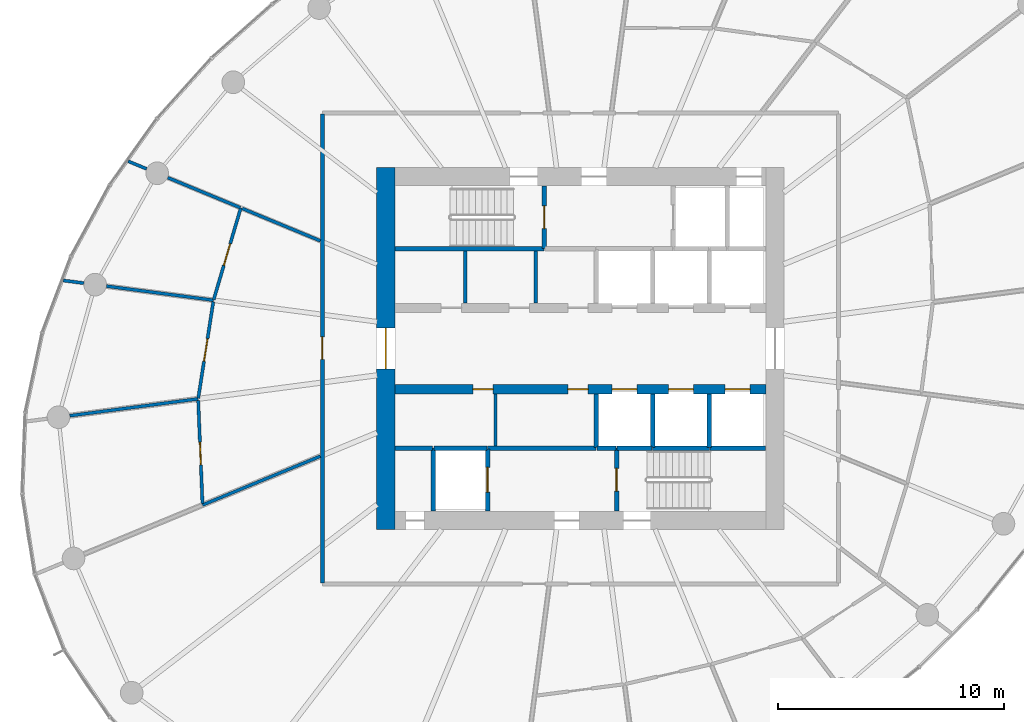
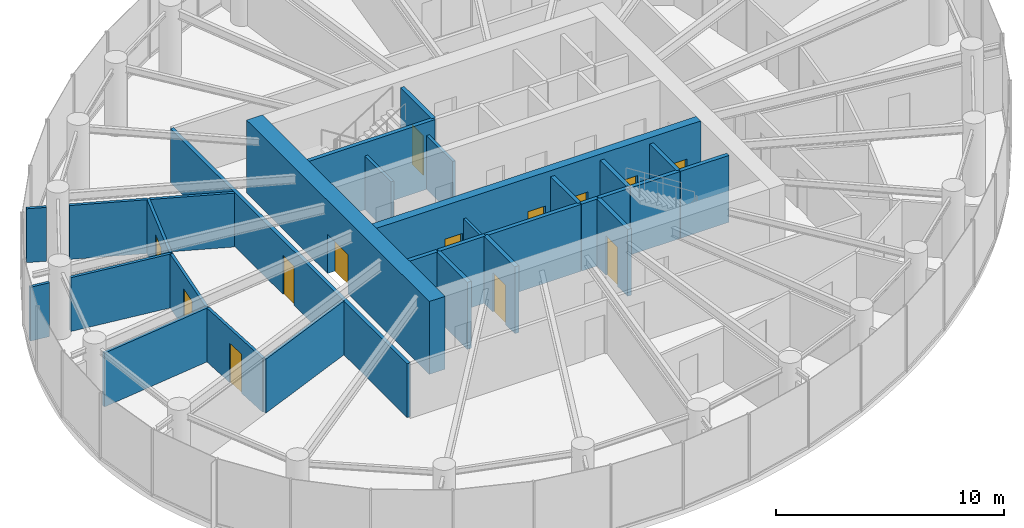
# One storey, part 9 of 14: 31 walls, 13 doors, 13 openings.
"""IFC4 building model written with IfcOpenShell, lengths in metres."""

from ifc_helpers import new_model, si_unit, direction, frame, frame_2d, origin, place, context, subcontext, project, spatial, rectangle, extrude, source, transform, mapped, material, layer, layer_set, type_object, element, fill, save


model = new_model("IFC4")

# Units and contexts
model_context = context("Model", 3, precision=1e-05, world=origin(), true_north=direction((0.0, 1.0)))
body_context = subcontext(model_context, "Body", "Model", "MODEL_VIEW")
ifc_project = project(units=[si_unit("LENGTHUNIT", "METRE"), si_unit("AREAUNIT", "SQUARE_METRE"), si_unit("VOLUMEUNIT", "CUBIC_METRE"), si_unit("PLANEANGLEUNIT", "RADIAN"), si_unit("MASSUNIT", "GRAM", prefix="KILO")], contexts=[model_context])

# Site, building, storey
site_placement = place(None, origin())
site = spatial("IfcSite", under=ifc_project, at=site_placement, CompositionType="ELEMENT")
building_placement = place(site_placement, origin())
building = spatial("IfcBuilding", under=site, at=building_placement, Name="Spindrift Exchange Tower", CompositionType="ELEMENT")
storey_placement = place(building_placement, frame((0.0, 0.0, 144.800048828125)))
storey = spatial("IfcBuildingStorey", under=building, at=storey_placement, Name="L34", CompositionType="ELEMENT", Elevation=144.800048828125)

# Wall, opening, door
ifc_material_1 = material(Name="Concrete 65 MPa", Category="concrete")
ifc_layer_1 = layer(ifc_material_1, 0.800048828125)
ifc_layer_set_1 = layer_set([ifc_layer_1], Name="RC Core Wall 800 Concrete 65 MPa")
wall_type_1 = type_object("IfcWallType", Name="RC Core Wall 800 Concrete 65 MPa", PredefinedType="SHEAR", material=ifc_layer_set_1)
wall_1_placement = place(storey_placement, frame((43.39990234375, 56.0, 0.0), z_axis=(0.0, 0.0, 1.0), x_axis=(0.0, -1.0, 0.0)))
wall_1 = element("IfcWall", 1, at=wall_1_placement, inside=storey, type_object=wall_type_1, Name="Core wall W L34", PredefinedType="SHEAR", context=body_context, shape_type="SweptSolid", body=[
    extrude(rectangle(XDim=16.0, YDim=0.800048828125, at=frame_2d((8.0, 0.0))), origin(), (0.0, 0.0, 1.0), 3.89990234375),
])
opening_1_placement = place(wall_1_placement, frame((7.10009765625, 0.0, 0.0)))
opening_1 = element("IfcOpeningElement", 2, at=opening_1_placement, cuts=wall_1, Name="Opening L34-D1", PredefinedType="OPENING", context=body_context, shape_type="SweptSolid", body=[
    extrude(rectangle(XDim=1.800048828125, YDim=2.10009765625, at=frame_2d((0.89990234375, 1.050048828125))), frame((0.0, 0.409912109375, 0.0), z_axis=(0.0, -1.0, 0.0), x_axis=(1.0, 0.0, 0.0)), (0.0, 0.0, 1.0), 0.820068359375),
])
ifc_material_2 = material(Name="Timber-core fire door", Category="wood")
door_type_1 = type_object("IfcDoorType", Name="DR-LOBBY-1800", OperationType="NOTDEFINED", PredefinedType="DOOR", material=ifc_material_2)
shared_shape_1 = source(origin(), body_context, "Body", "SweptSolid", [
    extrude(rectangle(XDim=1.800048828125, YDim=2.10009765625, at=frame_2d((0.89990234375, 1.050048828125))), frame((0.0, 0.02490234375, 0.0), z_axis=(0.0, -1.0, 0.0), x_axis=(1.0, 0.0, 0.0)), (0.0, 0.0, 1.0), 0.050048828125),
])
door_1_placement = place(opening_1_placement, origin())
door_1 = element("IfcDoor", 3, at=door_1_placement, inside=storey, type_object=door_type_1, Name="L34 Lobby door 1", OperationType="SINGLE_SWING_LEFT", OverallHeight=2.10009765625, OverallWidth=1.800048828125, PredefinedType="DOOR", context=body_context, shape_type="MappedRepresentation", body=[
    mapped(shared_shape_1, transform((0.0, 0.0, 0.0), scale=1.0)),
])
fill(opening_1, door_1)

# Wall, openings, doors
ifc_layer_2 = layer(ifc_material_1, 0.39990234375)
ifc_layer_set_2 = layer_set([ifc_layer_2], Name="RC Spine Wall 400 Concrete 65 MPa")
wall_type_2 = type_object("IfcWallType", Name="RC Spine Wall 400 Concrete 65 MPa", PredefinedType="SHEAR", material=ifc_layer_set_2)
wall_2_placement = place(storey_placement, frame((43.800048828125, 46.199951171875, 0.0), z_axis=(0.0, 0.0, 1.0), x_axis=(1.0, 0.0, 0.0)))
wall_2 = element("IfcWall", 4, at=wall_2_placement, inside=storey, type_object=wall_type_2, Name="Core spine wall S L34", PredefinedType="SHEAR", context=body_context, shape_type="SweptSolid", body=[
    extrude(rectangle(XDim=16.39990234375, YDim=0.39990234375, at=frame_2d((8.199951171875, 0.0))), origin(), (0.0, 0.0, 1.0), 3.89990234375),
])
opening_2_placement = place(wall_2_placement, frame((9.60009765625, 0.0, 0.0)))
opening_2 = element("IfcOpeningElement", 5, at=opening_2_placement, cuts=wall_2, Name="Opening L34-D6", PredefinedType="OPENING", context=body_context, shape_type="SweptSolid", body=[
    extrude(rectangle(XDim=1.10009765625, YDim=2.10009765625, at=frame_2d((0.550048828125, 1.050048828125))), frame((0.0, 0.2099609375, 0.0), z_axis=(0.0, -1.0, 0.0), x_axis=(1.0, 0.0, 0.0)), (0.0, 0.0, 1.0), 0.419921875),
])
opening_3_placement = place(wall_2_placement, frame((12.10009765625, 0.0, 0.0)))
opening_3 = element("IfcOpeningElement", 6, at=opening_3_placement, cuts=wall_2, Name="Opening L34-D7", PredefinedType="OPENING", context=body_context, shape_type="SweptSolid", body=[
    extrude(rectangle(XDim=1.10009765625, YDim=2.10009765625, at=frame_2d((0.550048828125, 1.050048828125))), frame((0.0, 0.2099609375, 0.0), z_axis=(0.0, -1.0, 0.0), x_axis=(1.0, 0.0, 0.0)), (0.0, 0.0, 1.0), 0.419921875),
])
opening_4_placement = place(wall_2_placement, frame((14.60009765625, 0.0, 0.0)))
opening_4 = element("IfcOpeningElement", 7, at=opening_4_placement, cuts=wall_2, Name="Opening L34-D8", PredefinedType="OPENING", context=body_context, shape_type="SweptSolid", body=[
    extrude(rectangle(XDim=1.10009765625, YDim=2.10009765625, at=frame_2d((0.550048828125, 1.050048828125))), frame((0.0, 0.2099609375, 0.0), z_axis=(0.0, -1.0, 0.0), x_axis=(1.0, 0.0, 0.0)), (0.0, 0.0, 1.0), 0.419921875),
])
opening_5_placement = place(wall_2_placement, frame((3.449951171875, 0.0, 0.0)))
opening_5 = element("IfcOpeningElement", 8, at=opening_5_placement, cuts=wall_2, Name="Opening L34-D45", PredefinedType="OPENING", context=body_context, shape_type="SweptSolid", body=[
    extrude(rectangle(XDim=0.89990234375, YDim=2.10009765625, at=frame_2d((0.449951171875, 1.050048828125))), frame((0.0, 0.2099609375, 0.0), z_axis=(0.0, -1.0, 0.0), x_axis=(1.0, 0.0, 0.0)), (0.0, 0.0, 1.0), 0.419921875),
])
opening_6_placement = place(wall_2_placement, frame((7.64990234375, 0.0, 0.0)))
opening_6 = element("IfcOpeningElement", 9, at=opening_6_placement, cuts=wall_2, Name="Opening L34-D46", PredefinedType="OPENING", context=body_context, shape_type="SweptSolid", body=[
    extrude(rectangle(XDim=0.89990234375, YDim=2.10009765625, at=frame_2d((0.449951171875, 1.050048828125))), frame((0.0, 0.2099609375, 0.0), z_axis=(0.0, -1.0, 0.0), x_axis=(1.0, 0.0, 0.0)), (0.0, 0.0, 1.0), 0.419921875),
])
ifc_material_3 = material(Name="Stainless steel landing door", Category="steel")
door_type_2 = type_object("IfcDoorType", Name="DR-LANDING-1100-SL", OperationType="DOUBLE_DOOR_SLIDING", PredefinedType="USERDEFINED", material=ifc_material_3)
shared_shape_2 = source(origin(), body_context, "Body", "SweptSolid", [
    extrude(rectangle(XDim=1.10009765625, YDim=2.10009765625, at=frame_2d((0.550048828125, 1.050048828125))), frame((0.0, 0.02490234375, 0.0), z_axis=(0.0, -1.0, 0.0), x_axis=(1.0, 0.0, 0.0)), (0.0, 0.0, 1.0), 0.050048828125),
])
door_2_placement = place(opening_2_placement, origin())
door_2 = element("IfcDoor", 10, at=door_2_placement, inside=storey, type_object=door_type_2, Name="L34 Lift landing door 6", ObjectType="LANDING DOOR", OperationType="DOUBLE_DOOR_SLIDING", OverallHeight=2.10009765625, OverallWidth=1.10009765625, PredefinedType="USERDEFINED", context=body_context, shape_type="MappedRepresentation", body=[
    mapped(shared_shape_2, transform((0.0, 0.0, 0.0), scale=1.0)),
])
fill(opening_2, door_2)
door_3_placement = place(opening_3_placement, origin())
door_3 = element("IfcDoor", 11, at=door_3_placement, inside=storey, type_object=door_type_2, Name="L34 Lift landing door 7", ObjectType="LANDING DOOR", OperationType="DOUBLE_DOOR_SLIDING", OverallHeight=2.10009765625, OverallWidth=1.10009765625, PredefinedType="USERDEFINED", context=body_context, shape_type="MappedRepresentation", body=[
    mapped(shared_shape_2, transform((0.0, 0.0, 0.0), scale=1.0)),
])
fill(opening_3, door_3)
door_4_placement = place(opening_4_placement, origin())
door_4 = element("IfcDoor", 12, at=door_4_placement, inside=storey, type_object=door_type_2, Name="L34 Lift landing door 8", ObjectType="LANDING DOOR", OperationType="DOUBLE_DOOR_SLIDING", OverallHeight=2.10009765625, OverallWidth=1.10009765625, PredefinedType="USERDEFINED", context=body_context, shape_type="MappedRepresentation", body=[
    mapped(shared_shape_2, transform((0.0, 0.0, 0.0), scale=1.0)),
])
fill(opening_4, door_4)
ifc_material_4 = material(Name="Steel access door", Category="steel")
door_type_3 = type_object("IfcDoorType", Name="DR-RISER-900", OperationType="NOTDEFINED", PredefinedType="DOOR", material=ifc_material_4)
shared_shape_3 = source(origin(), body_context, "Body", "SweptSolid", [
    extrude(rectangle(XDim=0.89990234375, YDim=2.10009765625, at=frame_2d((0.449951171875, 1.050048828125))), frame((0.0, 0.02490234375, 0.0), z_axis=(0.0, -1.0, 0.0), x_axis=(1.0, 0.0, 0.0)), (0.0, 0.0, 1.0), 0.050048828125),
])
door_5_placement = place(opening_5_placement, origin())
door_5 = element("IfcDoor", 13, at=door_5_placement, inside=storey, type_object=door_type_3, Name="L34 Riser door 45", OperationType="SINGLE_SWING_RIGHT", OverallHeight=2.10009765625, OverallWidth=0.89990234375, PredefinedType="DOOR", context=body_context, shape_type="MappedRepresentation", body=[
    mapped(shared_shape_3, transform((0.0, 0.0, 0.0), scale=1.0)),
])
fill(opening_5, door_5)
door_6_placement = place(opening_6_placement, origin())
door_6 = element("IfcDoor", 14, at=door_6_placement, inside=storey, type_object=door_type_3, Name="L34 Riser door 46", OperationType="SINGLE_SWING_LEFT", OverallHeight=2.10009765625, OverallWidth=0.89990234375, PredefinedType="DOOR", context=body_context, shape_type="MappedRepresentation", body=[
    mapped(shared_shape_3, transform((0.0, 0.0, 0.0), scale=1.0)),
])
fill(opening_6, door_6)

# Wall, opening, door
ifc_material_5 = material(Name="Fire-rated plasterboard partition", Category="gypsum")
ifc_layer_3 = layer(ifc_material_5, 0.179931640625)
ifc_layer_set_3 = layer_set([ifc_layer_3], Name="W-CORR-180")
wall_type_3 = type_object("IfcWallType", Name="W-CORR-180", PredefinedType="PARTITIONING", material=ifc_layer_set_3)
wall_3_placement = place(storey_placement, frame((40.60009765625, 37.6298828125, 0.0), z_axis=(0.0, 0.0, 1.0), x_axis=(0.0, 1.0, 0.0)))
wall_3 = element("IfcWall", 15, at=wall_3_placement, inside=storey, type_object=wall_type_3, Name="L34 Partition wall 30", PredefinedType="PARTITIONING", context=body_context, shape_type="SweptSolid", body=[
    extrude(rectangle(XDim=20.740234375, YDim=0.179931640625, at=frame_2d((10.3701171875, 0.0))), origin(), (0.0, 0.0, 1.0), 2.8798828125),
])
opening_7_placement = place(wall_3_placement, frame((9.889892578125, 0.0, 0.0)))
opening_7 = element("IfcOpeningElement", 16, at=opening_7_placement, cuts=wall_3, Name="Opening L34-D32", PredefinedType="OPENING", context=body_context, shape_type="SweptSolid", body=[
    extrude(rectangle(XDim=1.0, YDim=2.10009765625, at=frame_2d((0.5, 1.050048828125))), frame((0.0, 0.099853515625, 0.0), z_axis=(0.0, -1.0, 0.0), x_axis=(1.0, 0.0, 0.0)), (0.0, 0.0, 1.0), 0.199951171875),
])
door_type_4 = type_object("IfcDoorType", Name="DR-ROOM-1000", OperationType="NOTDEFINED", PredefinedType="DOOR", material=ifc_material_2)
shared_shape_4 = source(origin(), body_context, "Body", "SweptSolid", [
    extrude(rectangle(XDim=1.0, YDim=2.10009765625, at=frame_2d((0.5, 1.050048828125))), frame((0.0, 0.02490234375, 0.0), z_axis=(0.0, -1.0, 0.0), x_axis=(1.0, 0.0, 0.0)), (0.0, 0.0, 1.0), 0.050048828125),
])
door_7_placement = place(opening_7_placement, origin())
door_7 = element("IfcDoor", 17, at=door_7_placement, inside=storey, type_object=door_type_4, Name="L34 Door 32", OperationType="SINGLE_SWING_LEFT", OverallHeight=2.10009765625, OverallWidth=1.0, PredefinedType="DOOR", context=body_context, shape_type="MappedRepresentation", body=[
    mapped(shared_shape_4, transform((0.0, 0.0, 0.0), scale=1.0)),
])
fill(opening_7, door_7)

# Walls
ifc_layer_4 = layer(ifc_material_5, 0.139892578125)
ifc_layer_set_4 = layer_set([ifc_layer_4], Name="W-PART-140")
wall_type_4 = type_object("IfcWallType", Name="W-PART-140", PredefinedType="PARTITIONING", material=ifc_layer_set_4)
wall_4_placement = place(storey_placement, frame((40.510009765625, 43.24072265625, 0.0), z_axis=(0.0, 0.0, 1.0), x_axis=(-0.923876322458, -0.382691182028, 0.0)))
element("IfcWall", 18, at=wall_4_placement, inside=storey, type_object=wall_type_4, Name="L34 Partition wall 40", PredefinedType="PARTITIONING", context=body_context, shape_type="SweptSolid", body=[
    extrude(rectangle(XDim=5.633056640625, YDim=0.139892578125, at=frame_2d((2.81640625, 0.0))), origin(), (0.0, 0.0, 1.0), 2.8798828125),
])
wall_5_placement = place(storey_placement, frame((35.111572265625, 45.776611328125, 0.0), z_axis=(0.0, 0.0, 1.0), x_axis=(-0.991447469254, -0.130506381877, 0.0)))
element("IfcWall", 19, at=wall_5_placement, inside=storey, type_object=wall_type_4, Name="L34 Partition wall 41", PredefinedType="PARTITIONING", context=body_context, shape_type="SweptSolid", body=[
    extrude(rectangle(XDim=5.722412109375, YDim=0.139892578125, at=frame_2d((2.861328125, 0.0))), origin(), (0.0, 0.0, 1.0), 2.8798828125),
])
wall_6_placement = place(storey_placement, frame((35.79052734375, 50.134033203125, 0.0), z_axis=(0.0, 0.0, 1.0), x_axis=(-0.99144767747, 0.130504800063, 0.0)))
element("IfcWall", 20, at=wall_6_placement, inside=storey, type_object=wall_type_4, Name="L34 Partition wall 44", PredefinedType="PARTITIONING", context=body_context, shape_type="SweptSolid", body=[
    extrude(rectangle(XDim=4.772216796875, YDim=0.139892578125, at=frame_2d((2.38623046875, 0.0))), origin(), (0.0, 0.0, 1.0), 2.8798828125),
])

# Wall, opening, door
wall_7_placement = place(storey_placement, frame((35.302490234375, 41.159423828125, 0.0), z_axis=(0.0, 0.0, 1.0), x_axis=(-0.041309210476, 0.999146410257, 0.0)))
wall_7 = element("IfcWall", 21, at=wall_7_placement, inside=storey, type_object=wall_type_4, Name="L34 Partition wall 46", PredefinedType="PARTITIONING", context=body_context, shape_type="SweptSolid", body=[
    extrude(rectangle(XDim=4.55078125, YDim=0.139892578125, at=frame_2d((2.275390625, 0.0))), origin(), (0.0, 0.0, 1.0), 2.8798828125),
])
opening_8_placement = place(wall_7_placement, frame((1.70068359375, 0.0, 0.0)))
opening_8 = element("IfcOpeningElement", 22, at=opening_8_placement, cuts=wall_7, Name="Opening L34-D35", PredefinedType="OPENING", context=body_context, shape_type="SweptSolid", body=[
    extrude(rectangle(XDim=1.0, YDim=2.10009765625, at=frame_2d((0.5, 1.050048828125))), frame((0.0, 0.079833984375, 0.0), z_axis=(0.0, -1.0, 0.0), x_axis=(1.0, 0.0, 0.0)), (0.0, 0.0, 1.0), 0.159912109375),
])
door_8_placement = place(opening_8_placement, origin())
door_8 = element("IfcDoor", 23, at=door_8_placement, inside=storey, type_object=door_type_4, Name="L34 Door 35", OperationType="SINGLE_SWING_RIGHT", OverallHeight=2.10009765625, OverallWidth=1.0, PredefinedType="DOOR", context=body_context, shape_type="MappedRepresentation", body=[
    mapped(shared_shape_4, transform((0.0, 0.0, 0.0), scale=1.0)),
])
fill(opening_8, door_8)

wall_8_placement = place(storey_placement, frame((35.1162109375, 45.80615234375, 0.0), z_axis=(0.0, 0.0, 1.0), x_axis=(0.153963874662, 0.988076477455, 0.0)))
wall_8 = element("IfcWall", 24, at=wall_8_placement, inside=storey, type_object=wall_type_4, Name="L34 Partition wall 49", PredefinedType="PARTITIONING", context=body_context, shape_type="SweptSolid", body=[
    extrude(rectangle(XDim=4.309814453125, YDim=0.139892578125, at=frame_2d((2.15478515625, 0.0))), origin(), (0.0, 0.0, 1.0), 2.8798828125),
])
opening_9_placement = place(wall_8_placement, frame((1.659912109375, 0.0, 0.0)))
opening_9 = element("IfcOpeningElement", 25, at=opening_9_placement, cuts=wall_8, Name="Opening L34-D34", PredefinedType="OPENING", context=body_context, shape_type="SweptSolid", body=[
    extrude(rectangle(XDim=1.0, YDim=2.10009765625, at=frame_2d((0.5, 1.050048828125))), frame((0.0, 0.079833984375, 0.0), z_axis=(0.0, -1.0, 0.0), x_axis=(1.0, 0.0, 0.0)), (0.0, 0.0, 1.0), 0.159912109375),
])
door_9_placement = place(opening_9_placement, origin())
door_9 = element("IfcDoor", 26, at=door_9_placement, inside=storey, type_object=door_type_4, Name="L34 Door 34", OperationType="SINGLE_SWING_LEFT", OverallHeight=2.10009765625, OverallWidth=1.0, PredefinedType="DOOR", context=body_context, shape_type="MappedRepresentation", body=[
    mapped(shared_shape_4, transform((0.0, 0.0, 0.0), scale=1.0)),
])
fill(opening_9, door_9)

wall_9_placement = place(storey_placement, frame((35.799072265625, 50.16259765625, 0.0), z_axis=(0.0, 0.0, 1.0), x_axis=(0.283470538005, 0.958980945631, 0.0)))
wall_9 = element("IfcWall", 27, at=wall_9_placement, inside=storey, type_object=wall_type_4, Name="L34 Partition wall 52", PredefinedType="PARTITIONING", context=body_context, shape_type="SweptSolid", body=[
    extrude(rectangle(XDim=4.225341796875, YDim=0.139892578125, at=frame_2d((2.11279296875, 0.0))), origin(), (0.0, 0.0, 1.0), 2.8798828125),
])
opening_10_placement = place(wall_9_placement, frame((1.5751953125, 0.0, 0.0)))
opening_10 = element("IfcOpeningElement", 28, at=opening_10_placement, cuts=wall_9, Name="Opening L34-D33", PredefinedType="OPENING", context=body_context, shape_type="SweptSolid", body=[
    extrude(rectangle(XDim=1.0, YDim=2.10009765625, at=frame_2d((0.5, 1.050048828125))), frame((0.0, 0.079833984375, 0.0), z_axis=(0.0, -1.0, 0.0), x_axis=(1.0, 0.0, 0.0)), (0.0, 0.0, 1.0), 0.159912109375),
])
door_10_placement = place(opening_10_placement, origin())
door_10 = element("IfcDoor", 29, at=door_10_placement, inside=storey, type_object=door_type_4, Name="L34 Door 33", OperationType="SINGLE_SWING_RIGHT", OverallHeight=2.10009765625, OverallWidth=1.0, PredefinedType="DOOR", context=body_context, shape_type="MappedRepresentation", body=[
    mapped(shared_shape_4, transform((0.0, 0.0, 0.0), scale=1.0)),
])
fill(opening_10, door_10)

# Walls
wall_10_placement = place(storey_placement, frame((40.510009765625, 52.75927734375, 0.0), z_axis=(0.0, 0.0, 1.0), x_axis=(-0.923878101824, 0.382686886332, 0.0)))
element("IfcWall", 30, at=wall_10_placement, inside=storey, type_object=wall_type_4, Name="L34 Partition wall 61", PredefinedType="PARTITIONING", context=body_context, shape_type="SweptSolid", body=[
    extrude(rectangle(XDim=3.732177734375, YDim=0.139892578125, at=frame_2d((1.8662109375, 0.0))), origin(), (0.0, 0.0, 1.0), 2.8798828125),
])
wall_11_placement = place(storey_placement, frame((36.96923828125, 54.225830078125, 0.0), z_axis=(0.0, 0.0, 1.0), x_axis=(-0.923864859272, 0.382718854779, 0.0)))
element("IfcWall", 31, at=wall_11_placement, inside=storey, type_object=wall_type_4, Name="L34 Partition wall 63", PredefinedType="PARTITIONING", context=body_context, shape_type="SweptSolid", body=[
    extrude(rectangle(XDim=3.4658203125, YDim=0.139892578125, at=frame_2d((1.73291015625, 0.0))), origin(), (0.0, 0.0, 1.0), 2.8798828125),
])
for number, where, z_axis, x_axis, name in (
    (32, (46.9150390625, 50.010009765625, 0.0), (0.0, 0.0, 1.0), (0.0, 1.0, 0.0), "L34 Partition wall 67"),
    (33, (48.25, 43.699951171875, 0.0), (0.0, 0.0, 1.0), (0.0, 1.0, 0.0), "L34 Partition wall 68"),
    (34, (50.030029296875, 50.010009765625, 0.0), (0.0, 0.0, 1.0), (0.0, 1.0, 0.0), "L34 Partition wall 69"),
):
    element("IfcWall", number, at=place(storey_placement, frame(where, z_axis=z_axis, x_axis=x_axis)), inside=storey, type_object=wall_type_4, Name=name, PredefinedType="PARTITIONING", context=body_context, shape_type="SweptSolid", body=[
        extrude(rectangle(XDim=2.2900390625, YDim=0.139892578125, at=frame_2d((1.14501953125, 0.0))), origin(), (0.0, 0.0, 1.0), 2.8798828125),
    ])
wall_12_placement = place(storey_placement, frame((30.058837890625, 50.888671875, 0.0), z_axis=(0.0, 0.0, 1.0), x_axis=(-0.991463350104, 0.130385679429, 0.0)))
element("IfcWall", 35, at=wall_12_placement, inside=storey, type_object=wall_type_4, Name="L34 Partition wall 78", PredefinedType="PARTITIONING", context=body_context, shape_type="SweptSolid", body=[
    extrude(rectangle(XDim=0.91748046875, YDim=0.139892578125, at=frame_2d((0.458740234375, 0.0))), origin(), (0.0, 0.0, 1.0), 2.8798828125),
])
wall_13_placement = place(storey_placement, frame((32.833984375, 55.938720703125, 0.0), z_axis=(0.0, 0.0, 1.0), x_axis=(-0.923871383442, 0.382703105367, 0.0)))
element("IfcWall", 36, at=wall_13_placement, inside=storey, type_object=wall_type_4, Name="L34 Partition wall 84", PredefinedType="PARTITIONING", context=body_context, shape_type="SweptSolid", body=[
    extrude(rectangle(XDim=0.879638671875, YDim=0.139892578125, at=frame_2d((0.43994140625, 0.0))), origin(), (0.0, 0.0, 1.0), 2.8798828125),
])
ifc_material_6 = material(Name="Concrete 40 MPa", Category="concrete")
ifc_layer_5 = layer(ifc_material_6, 0.199951171875)
ifc_layer_set_5 = layer_set([ifc_layer_5], Name="W-SHAFT-200")
wall_type_5 = type_object("IfcWallType", Name="W-SHAFT-200", PredefinedType="SOLIDWALL", material=ifc_layer_set_5)
wall_14_placement = place(storey_placement, frame((52.699951171875, 43.60009765625, 0.0), z_axis=(0.0, 0.0, 1.0), x_axis=(-1.0, 0.0, 0.0)))
element("IfcWall", 37, at=wall_14_placement, inside=storey, type_object=wall_type_5, Name="L34 Shaft wall 2", PredefinedType="SOLIDWALL", context=body_context, shape_type="SweptSolid", body=[
    extrude(rectangle(XDim=4.800048828125, YDim=0.199951171875, at=frame_2d((2.39990234375, 0.0))), origin(), (0.0, 0.0, 1.0), 3.579833984375),
])
wall_15_placement = place(storey_placement, frame((45.5, 43.60009765625, 0.0), z_axis=(0.0, 0.0, 1.0), x_axis=(0.0, -1.0, 0.0)))
element("IfcWall", 38, at=wall_15_placement, inside=storey, type_object=wall_type_5, Name="L34 Shaft wall 3", PredefinedType="SOLIDWALL", context=body_context, shape_type="SweptSolid", body=[
    extrude(rectangle(XDim=2.780029296875, YDim=0.199951171875, at=frame_2d((1.39013671875, 0.0))), origin(), (0.0, 0.0, 1.0), 3.579833984375),
])

# Wall, opening, door
wall_16_placement = place(storey_placement, frame((47.89990234375, 40.820068359375, 0.0), z_axis=(0.0, 0.0, 1.0), x_axis=(0.0, 1.0, 0.0)))
wall_16 = element("IfcWall", 39, at=wall_16_placement, inside=storey, type_object=wall_type_5, Name="L34 Shaft wall 4", PredefinedType="SOLIDWALL", context=body_context, shape_type="SweptSolid", body=[
    extrude(rectangle(XDim=2.75, YDim=0.199951171875, at=frame_2d((1.375, 0.0))), origin(), (0.0, 0.0, 1.0), 3.579833984375),
])
opening_11_placement = place(wall_16_placement, frame((0.830078125, 0.0, 0.0)))
opening_11 = element("IfcOpeningElement", 40, at=opening_11_placement, cuts=wall_16, Name="Opening L34-D10", PredefinedType="OPENING", context=body_context, shape_type="SweptSolid", body=[
    extrude(rectangle(XDim=1.10009765625, YDim=2.10009765625, at=frame_2d((0.550048828125, 1.050048828125))), frame((0.0, 0.10986328125, 0.0), z_axis=(0.0, -1.0, 0.0), x_axis=(1.0, 0.0, 0.0)), (0.0, 0.0, 1.0), 0.219970703125),
])
door_11_placement = place(opening_11_placement, origin())
door_11 = element("IfcDoor", 41, at=door_11_placement, inside=storey, type_object=door_type_2, Name="L34 Lift landing door 10", ObjectType="LANDING DOOR", OperationType="DOUBLE_DOOR_SLIDING", OverallHeight=2.10009765625, OverallWidth=1.10009765625, PredefinedType="USERDEFINED", context=body_context, shape_type="MappedRepresentation", body=[
    mapped(shared_shape_2, transform((0.0, 0.0, 0.0), scale=1.0)),
])
fill(opening_11, door_11)

# Walls
wall_17_placement = place(storey_placement, frame((47.8701171875, 43.60009765625, 0.0), z_axis=(0.0, 0.0, 1.0), x_axis=(-1.0, 0.0, 0.0)))
element("IfcWall", 42, at=wall_17_placement, inside=storey, type_object=wall_type_5, Name="L34 Shaft wall 12", PredefinedType="SOLIDWALL", context=body_context, shape_type="SweptSolid", body=[
    extrude(rectangle(XDim=2.340087890625, YDim=0.199951171875, at=frame_2d((1.169921875, 0.0))), origin(), (0.0, 0.0, 1.0), 3.579833984375),
])
wall_18_placement = place(storey_placement, frame((52.699951171875, 45.989990234375, 0.0), z_axis=(0.0, 0.0, 1.0), x_axis=(0.0, -1.0, 0.0)))
element("IfcWall", 43, at=wall_18_placement, inside=storey, type_object=wall_type_5, Name="L34 Shaft wall 13", PredefinedType="SOLIDWALL", context=body_context, shape_type="SweptSolid", body=[
    extrude(rectangle(XDim=2.360107421875, YDim=0.199951171875, at=frame_2d((1.18017578125, 0.0))), origin(), (0.0, 0.0, 1.0), 3.579833984375),
])
wall_19_placement = place(storey_placement, frame((45.469970703125, 43.60009765625, 0.0), z_axis=(0.0, 0.0, 1.0), x_axis=(-1.0, 0.0, 0.0)))
element("IfcWall", 44, at=wall_19_placement, inside=storey, type_object=wall_type_5, Name="L34 Shaft wall 20", PredefinedType="SOLIDWALL", context=body_context, shape_type="SweptSolid", body=[
    extrude(rectangle(XDim=1.64990234375, YDim=0.199951171875, at=frame_2d((0.824951171875, 0.0))), origin(), (0.0, 0.0, 1.0), 3.579833984375),
])
ifc_layer_6 = layer(ifc_material_6, 0.199951171875)
ifc_layer_set_6 = layer_set([ifc_layer_6], Name="W-SHAFT-200-LB")
wall_type_6 = type_object("IfcWallType", Name="W-SHAFT-200-LB", PredefinedType="SOLIDWALL", material=ifc_layer_set_6)
wall_20_placement = place(storey_placement, frame((43.820068359375, 52.39990234375, 0.0), z_axis=(0.0, 0.0, 1.0), x_axis=(1.0, 0.0, 0.0)))
element("IfcWall", 45, at=wall_20_placement, inside=storey, type_object=wall_type_6, Name="L34 Shaft wall 1", PredefinedType="SOLIDWALL", context=body_context, shape_type="SweptSolid", body=[
    extrude(rectangle(XDim=6.579833984375, YDim=0.199951171875, at=frame_2d((3.2900390625, 0.0))), origin(), (0.0, 0.0, 1.0), 3.579833984375),
])

# Wall, opening, door
wall_21_placement = place(storey_placement, frame((50.39990234375, 52.429931640625, 0.0), z_axis=(0.0, 0.0, 1.0), x_axis=(0.0, 1.0, 0.0)))
wall_21 = element("IfcWall", 46, at=wall_21_placement, inside=storey, type_object=wall_type_6, Name="L34 Shaft wall 5", PredefinedType="SOLIDWALL", context=body_context, shape_type="SweptSolid", body=[
    extrude(rectangle(XDim=2.75, YDim=0.199951171875, at=frame_2d((1.375, 0.0))), origin(), (0.0, 0.0, 1.0), 3.579833984375),
])
opening_12_placement = place(wall_21_placement, frame((0.8701171875, 0.0, 0.0)))
opening_12 = element("IfcOpeningElement", 47, at=opening_12_placement, cuts=wall_21, Name="Opening L34-D13", PredefinedType="OPENING", context=body_context, shape_type="SweptSolid", body=[
    extrude(rectangle(XDim=1.0, YDim=2.10009765625, at=frame_2d((0.5, 1.050048828125))), frame((0.0, 0.10986328125, 0.0), z_axis=(0.0, -1.0, 0.0), x_axis=(1.0, 0.0, 0.0)), (0.0, 0.0, 1.0), 0.219970703125),
])
ifc_material_7 = material(Name="Steel fire door", Category="steel")
door_type_5 = type_object("IfcDoorType", Name="DR-STAIR-1000", OperationType="NOTDEFINED", PredefinedType="DOOR", material=ifc_material_7)
shared_shape_5 = source(origin(), body_context, "Body", "SweptSolid", [
    extrude(rectangle(XDim=1.0, YDim=2.10009765625, at=frame_2d((0.5, 1.050048828125))), frame((0.0, 0.02490234375, 0.0), z_axis=(0.0, -1.0, 0.0), x_axis=(1.0, 0.0, 0.0)), (0.0, 0.0, 1.0), 0.050048828125),
])
door_12_placement = place(opening_12_placement, origin())
door_12 = element("IfcDoor", 48, at=door_12_placement, inside=storey, type_object=door_type_5, Name="L34 Stair door 13", OperationType="SINGLE_SWING_RIGHT", OverallHeight=2.10009765625, OverallWidth=1.0, PredefinedType="DOOR", context=body_context, shape_type="MappedRepresentation", body=[
    mapped(shared_shape_5, transform((0.0, 0.0, 0.0), scale=1.0)),
])
fill(opening_12, door_12)

wall_22_placement = place(storey_placement, frame((53.60009765625, 43.60009765625, 0.0), z_axis=(0.0, 0.0, 1.0), x_axis=(0.0, -1.0, 0.0)))
wall_22 = element("IfcWall", 49, at=wall_22_placement, inside=storey, type_object=wall_type_6, Name="L34 Shaft wall 6", PredefinedType="SOLIDWALL", context=body_context, shape_type="SweptSolid", body=[
    extrude(rectangle(XDim=2.780029296875, YDim=0.199951171875, at=frame_2d((1.39013671875, 0.0))), origin(), (0.0, 0.0, 1.0), 3.579833984375),
])
opening_13_placement = place(wall_22_placement, frame((0.89990234375, 0.0, 0.0)))
opening_13 = element("IfcOpeningElement", 50, at=opening_13_placement, cuts=wall_22, Name="Opening L34-D16", PredefinedType="OPENING", context=body_context, shape_type="SweptSolid", body=[
    extrude(rectangle(XDim=1.0, YDim=2.10009765625, at=frame_2d((0.5, 1.050048828125))), frame((0.0, 0.10986328125, 0.0), z_axis=(0.0, -1.0, 0.0), x_axis=(1.0, 0.0, 0.0)), (0.0, 0.0, 1.0), 0.219970703125),
])
door_13_placement = place(opening_13_placement, origin())
door_13 = element("IfcDoor", 51, at=door_13_placement, inside=storey, type_object=door_type_5, Name="L34 Stair door 16", OperationType="SINGLE_SWING_LEFT", OverallHeight=2.10009765625, OverallWidth=1.0, PredefinedType="DOOR", context=body_context, shape_type="MappedRepresentation", body=[
    mapped(shared_shape_5, transform((0.0, 0.0, 0.0), scale=1.0)),
])
fill(opening_13, door_13)

# Walls
wall_23_placement = place(storey_placement, frame((55.199951171875, 43.60009765625, 0.0), z_axis=(0.0, 0.0, 1.0), x_axis=(1.0, 0.0, 0.0)))
element("IfcWall", 52, at=wall_23_placement, inside=storey, type_object=wall_type_6, Name="L34 Shaft wall 10", PredefinedType="SOLIDWALL", context=body_context, shape_type="SweptSolid", body=[
    extrude(rectangle(XDim=2.5, YDim=0.199951171875, at=frame_2d((1.25, 0.0))), origin(), (0.0, 0.0, 1.0), 3.579833984375),
])
wall_24_placement = place(storey_placement, frame((57.72998046875, 43.60009765625, 0.0), z_axis=(0.0, 0.0, 1.0), x_axis=(1.0, 0.0, 0.0)))
element("IfcWall", 53, at=wall_24_placement, inside=storey, type_object=wall_type_6, Name="L34 Shaft wall 11", PredefinedType="SOLIDWALL", context=body_context, shape_type="SweptSolid", body=[
    extrude(rectangle(XDim=2.449951171875, YDim=0.199951171875, at=frame_2d((1.22509765625, 0.0))), origin(), (0.0, 0.0, 1.0), 3.579833984375),
])
for number, where, z_axis, x_axis, name in (
    (54, (55.199951171875, 43.6298828125, 0.0), (0.0, 0.0, 1.0), (0.0, 1.0, 0.0), "L34 Shaft wall 15"),
    (55, (57.699951171875, 43.6298828125, 0.0), (0.0, 0.0, 1.0), (0.0, 1.0, 0.0), "L34 Shaft wall 17"),
):
    element("IfcWall", number, at=place(storey_placement, frame(where, z_axis=z_axis, x_axis=x_axis)), inside=storey, type_object=wall_type_6, Name=name, PredefinedType="SOLIDWALL", context=body_context, shape_type="SweptSolid", body=[
        extrude(rectangle(XDim=2.360107421875, YDim=0.199951171875, at=frame_2d((1.18017578125, 0.0))), origin(), (0.0, 0.0, 1.0), 3.579833984375),
    ])
wall_25_placement = place(storey_placement, frame((53.6298828125, 43.60009765625, 0.0), z_axis=(0.0, 0.0, 1.0), x_axis=(1.0, 0.0, 0.0)))
element("IfcWall", 56, at=wall_25_placement, inside=storey, type_object=wall_type_6, Name="L34 Shaft wall 22", PredefinedType="SOLIDWALL", context=body_context, shape_type="SweptSolid", body=[
    extrude(rectangle(XDim=1.5400390625, YDim=0.199951171875, at=frame_2d((0.77001953125, 0.0))), origin(), (0.0, 0.0, 1.0), 3.579833984375),
])
wall_26_placement = place(storey_placement, frame((52.72998046875, 43.60009765625, 0.0), z_axis=(0.0, 0.0, 1.0), x_axis=(1.0, 0.0, 0.0)))
element("IfcWall", 57, at=wall_26_placement, inside=storey, type_object=wall_type_6, Name="L34 Shaft wall 24", PredefinedType="SOLIDWALL", context=body_context, shape_type="SweptSolid", body=[
    extrude(rectangle(XDim=0.840087890625, YDim=0.199951171875, at=frame_2d((0.419921875, 0.0))), origin(), (0.0, 0.0, 1.0), 3.579833984375),
])

save(model, "model.ifc")
